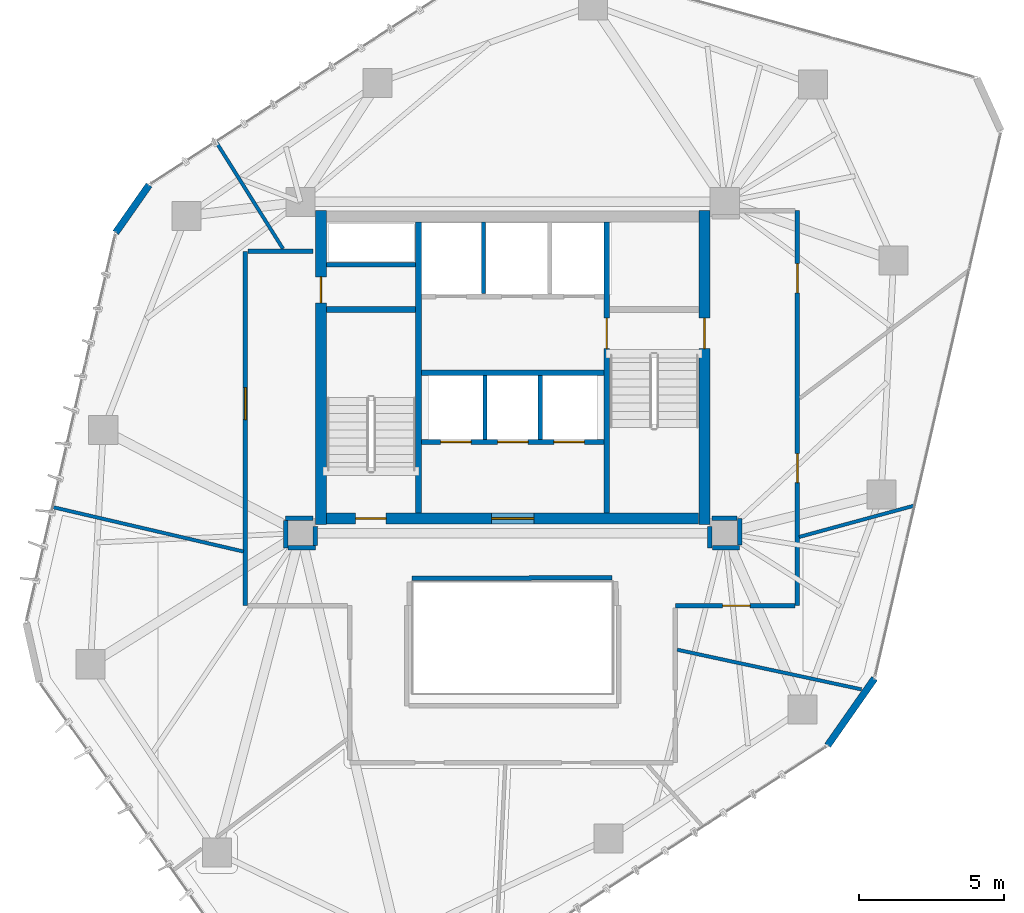
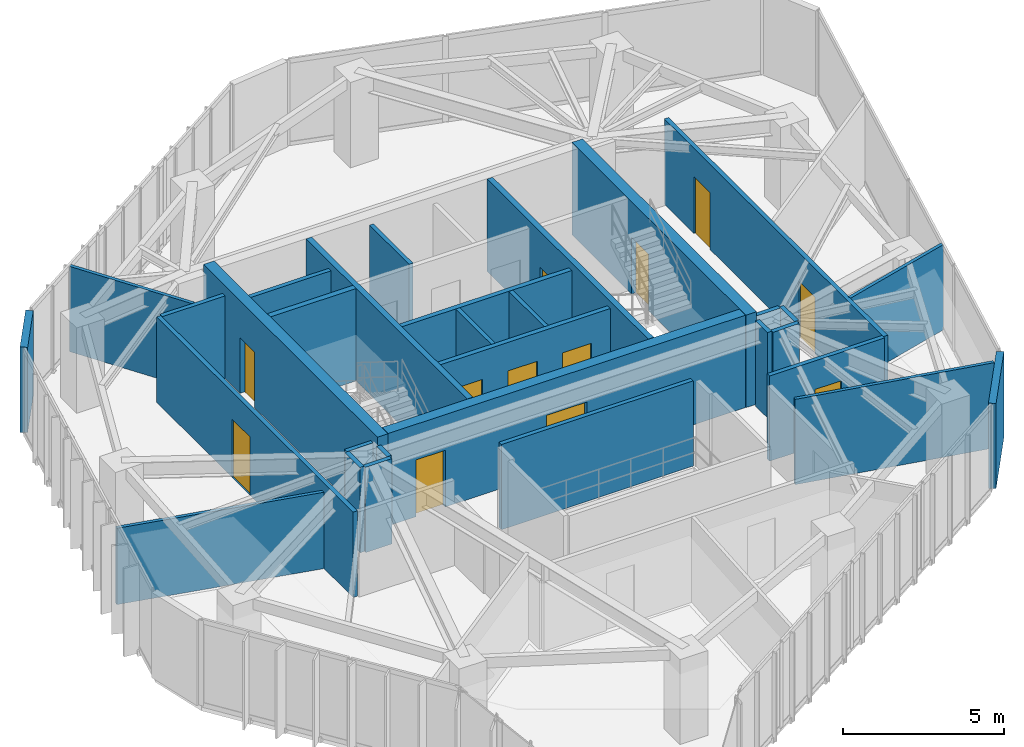
# One storey, part 15 of 18: 31 walls, 12 doors, 12 openings.
"""IFC4 building model written with IfcOpenShell, lengths in metres."""

from ifc_helpers import new_model, si_unit, direction, frame, frame_2d, origin, place, context, subcontext, project, spatial, rectangle, extrude, source, transform, mapped, material, layer, layer_set, type_object, type_shapes, element, fill, save


model = new_model("IFC4")

# Units and contexts
model_context = context("Model", 3, precision=1e-05, world=origin(), true_north=direction((0.0, 1.0)))
body_context = subcontext(model_context, "Body", "Model", "MODEL_VIEW")
ifc_project = project(units=[si_unit("LENGTHUNIT", "METRE"), si_unit("AREAUNIT", "SQUARE_METRE"), si_unit("VOLUMEUNIT", "CUBIC_METRE"), si_unit("PLANEANGLEUNIT", "RADIAN"), si_unit("MASSUNIT", "GRAM", prefix="KILO")], contexts=[model_context])

# Site, building, storey
site_placement = place(None, origin())
site = spatial("IfcSite", under=ifc_project, at=site_placement, CompositionType="ELEMENT")
building_placement = place(site_placement, origin())
building = spatial("IfcBuilding", under=site, at=building_placement, Name="Talar Marvaseh", CompositionType="ELEMENT")
storey_placement = place(building_placement, frame((0.0, 0.0, 188.0)))
storey = spatial("IfcBuildingStorey", under=building, at=storey_placement, Name="L49", CompositionType="ELEMENT", Elevation=188.0)

# Walls
ifc_material_1 = material(Name="Precast concrete C45/55", Category="concrete")
ifc_layer_1 = layer(ifc_material_1, 0.239990234375)
ifc_layer_set_1 = layer_set([ifc_layer_1], Name="Precast concrete C45/55")
wall_type_1 = type_object("IfcWallType", Name="Chamfered Hexagonal Corner Pier Wall Z3 240", PredefinedType="SOLIDWALL", material=ifc_layer_set_1)
wall_1_placement = place(storey_placement, frame((12.339599609375, 35.842529296875, 0.0), z_axis=(0.0, 0.0, 1.0), x_axis=(0.573568678046, 0.819157476658, 0.0)))
element("IfcWall", 1, at=wall_1_placement, inside=storey, type_object=wall_type_1, Name="L49 Chamfered Corner Limestone Pier 3", PredefinedType="SOLIDWALL", context=body_context, shape_type="SweptSolid", body=[
    extrude(rectangle(XDim=2.003173828125, YDim=0.239990234375, at=frame_2d((1.00146484375, 0.0))), origin(), (0.0, 0.0, 1.0), 3.22998046875),
])
wall_2_placement = place(storey_placement, frame((38.4560546875, 20.49658203125, 0.0), z_axis=(0.0, 0.0, 1.0), x_axis=(-0.573567102277, -0.819158579999, 0.0)))
element("IfcWall", 2, at=wall_2_placement, inside=storey, type_object=wall_type_1, Name="L49 Chamfered Corner Limestone Pier 6", PredefinedType="SOLIDWALL", context=body_context, shape_type="SweptSolid", body=[
    extrude(rectangle(XDim=2.815185546875, YDim=0.239990234375, at=frame_2d((1.40771484375, 0.0))), origin(), (0.0, 0.0, 1.0), 3.22998046875),
])
ifc_material_2 = material(Name="Gypsum Board Partition Assembly")
ifc_layer_2 = layer(ifc_material_2, 0.155029296875)
ifc_layer_set_2 = layer_set([ifc_layer_2], Name="Gypsum Board Partition Assembly")
wall_type_2 = type_object("IfcWallType", Name="Corridor Fire-Rated Acoustic Partition 155", PredefinedType="PARTITIONING", material=ifc_layer_set_2)
wall_3_placement = place(storey_placement, frame((19.60009765625, 34.72998046875, 0.0), z_axis=(0.0, 0.0, 1.0), x_axis=(1.0, 0.0, 0.0)))
element("IfcWall", 3, at=wall_3_placement, inside=storey, type_object=wall_type_2, Name="L49 Core BOH Partition", PredefinedType="PARTITIONING", context=body_context, shape_type="SweptSolid", body=[
    extrude(rectangle(XDim=3.059814453125, YDim=0.155029296875, at=frame_2d((1.52978515625, 0.0))), origin(), (0.0, 0.0, 1.0), 3.22998046875),
])

# Wall, opening, door
wall_4_placement = place(storey_placement, frame((16.800048828125, 23.0, 0.0), z_axis=(0.0, 0.0, 1.0), x_axis=(0.0, 1.0, 0.0)))
wall_4 = element("IfcWall", 4, at=wall_4_placement, inside=storey, type_object=wall_type_2, Name="L49 Interior Partition Wall", PredefinedType="PARTITIONING", context=body_context, shape_type="SweptSolid", body=[
    extrude(rectangle(XDim=12.199951171875, YDim=0.155029296875, at=frame_2d((6.10009765625, 0.0))), origin(), (0.0, 0.0, 1.0), 3.22998046875),
])
opening_1_placement = place(wall_4_placement, frame((6.404296875, 0.0, 0.0)))
opening_1 = element("IfcOpeningElement", 5, at=opening_1_placement, cuts=wall_4, Name="Opening DR-RM110", PredefinedType="OPENING", context=body_context, shape_type="SweptSolid", body=[
    extrude(rectangle(XDim=1.10009765625, YDim=2.199951171875, at=frame_2d((0.550048828125, 1.10009765625))), frame((0.0, 0.08740234375, 0.0), z_axis=(0.0, -1.0, 0.0), x_axis=(1.0, 0.0, 0.0)), (0.0, 0.0, 1.0), 0.175048828125),
])
ifc_material_3 = material(Name="Acoustic Engineered Oak Timber", Category="wood")
door_type_1 = type_object("IfcDoorType", Name="Assembly and Reading Hall Door 1100x2200", OperationType="NOTDEFINED", PredefinedType="DOOR", material=ifc_material_3)
shared_shape_1 = source(origin(), body_context, "Body", "SweptSolid", [
    extrude(rectangle(XDim=1.10009765625, YDim=2.199951171875, at=frame_2d((0.550048828125, 1.10009765625))), frame((0.0, 0.02490234375, 0.0), z_axis=(0.0, -1.0, 0.0), x_axis=(1.0, 0.0, 0.0)), (0.0, 0.0, 1.0), 0.050048828125),
])
type_shapes(door_type_1, [shared_shape_1])
door_1_placement = place(opening_1_placement, origin())
door_1 = element("IfcDoor", 6, at=door_1_placement, inside=storey, type_object=door_type_1, Name="L49 Gallery Security Control Room Door", OperationType="SINGLE_SWING_LEFT", OverallHeight=2.199951171875, OverallWidth=1.10009765625, PredefinedType="DOOR", context=body_context, shape_type="MappedRepresentation", body=[
    mapped(shared_shape_1, transform((0.0, 0.0, 0.0), x_axis=(1.0, 0.0, 0.0), y_axis=(0.0, 1.0, 0.0), z_axis=(0.0, 0.0, 1.0), scale=1.0)),
])
fill(opening_1, door_1)

# Wall, openings, doors
wall_5_placement = place(storey_placement, frame((35.800048828125, 36.60009765625, 0.0), z_axis=(0.0, 0.0, 1.0), x_axis=(0.0, -1.0, 0.0)))
wall_5 = element("IfcWall", 7, at=wall_5_placement, inside=storey, type_object=wall_type_2, Name="L49 Interior Partition Wall", PredefinedType="PARTITIONING", context=body_context, shape_type="SweptSolid", body=[
    extrude(rectangle(XDim=13.60009765625, YDim=0.155029296875, at=frame_2d((6.800048828125, 0.0))), origin(), (0.0, 0.0, 1.0), 3.22998046875),
])
opening_2_placement = place(wall_5_placement, frame((8.36376953125, 0.0, 0.0)))
opening_2 = element("IfcOpeningElement", 8, at=opening_2_placement, cuts=wall_5, Name="Opening DR-RM100", PredefinedType="OPENING", context=body_context, shape_type="SweptSolid", body=[
    extrude(rectangle(XDim=1.0, YDim=2.14990234375, at=frame_2d((0.5, 1.074951171875))), frame((0.0, 0.08740234375, 0.0), z_axis=(0.0, -1.0, 0.0), x_axis=(1.0, 0.0, 0.0)), (0.0, 0.0, 1.0), 0.175048828125),
])
opening_3_placement = place(wall_5_placement, frame((1.829345703125, 0.0, 0.0)))
opening_3 = element("IfcOpeningElement", 9, at=opening_3_placement, cuts=wall_5, Name="Opening DR-RM100", PredefinedType="OPENING", context=body_context, shape_type="SweptSolid", body=[
    extrude(rectangle(XDim=1.0, YDim=2.14990234375, at=frame_2d((0.5, 1.074951171875))), frame((0.0, 0.08740234375, 0.0), z_axis=(0.0, -1.0, 0.0), x_axis=(1.0, 0.0, 0.0)), (0.0, 0.0, 1.0), 0.175048828125),
])
door_type_2 = type_object("IfcDoorType", Name="Corridor Fire-Rated Gallery Door 1000x2150", OperationType="NOTDEFINED", PredefinedType="DOOR", material=ifc_material_3)
shared_shape_2 = source(origin(), body_context, "Body", "SweptSolid", [
    extrude(rectangle(XDim=1.0, YDim=2.14990234375, at=frame_2d((0.5, 1.074951171875))), frame((0.0, 0.02490234375, 0.0), z_axis=(0.0, -1.0, 0.0), x_axis=(1.0, 0.0, 0.0)), (0.0, 0.0, 1.0), 0.050048828125),
])
type_shapes(door_type_2, [shared_shape_2])
door_2_placement = place(opening_2_placement, origin())
door_2 = element("IfcDoor", 10, at=door_2_placement, inside=storey, type_object=door_type_2, Name="L49 Registrar Mail and Post Room Door", OperationType="SINGLE_SWING_LEFT", OverallHeight=2.14990234375, OverallWidth=1.0, PredefinedType="DOOR", context=body_context, shape_type="MappedRepresentation", body=[
    mapped(shared_shape_2, transform((0.0, 0.0, 0.0), x_axis=(1.0, 0.0, 0.0), y_axis=(0.0, 1.0, 0.0), z_axis=(0.0, 0.0, 1.0), scale=1.0)),
])
fill(opening_2, door_2)
door_3_placement = place(opening_3_placement, origin())
door_3 = element("IfcDoor", 11, at=door_3_placement, inside=storey, type_object=door_type_2, Name="L49 Conservation Briefing Room Door", OperationType="SINGLE_SWING_RIGHT", OverallHeight=2.14990234375, OverallWidth=1.0, PredefinedType="DOOR", context=body_context, shape_type="MappedRepresentation", body=[
    mapped(shared_shape_2, transform((0.0, 0.0, 0.0), x_axis=(1.0, 0.0, 0.0), y_axis=(0.0, 1.0, 0.0), z_axis=(0.0, 0.0, 1.0), scale=1.0)),
])
fill(opening_3, door_3)

# Wall, opening, door
wall_6_placement = place(storey_placement, frame((35.716552734375, 23.0, 0.0), z_axis=(0.0, 0.0, 1.0), x_axis=(-1.0, 0.0, 0.0)))
wall_6 = element("IfcWall", 12, at=wall_6_placement, inside=storey, type_object=wall_type_2, Name="L49 Interior Partition Wall", PredefinedType="PARTITIONING", context=body_context, shape_type="SweptSolid", body=[
    extrude(rectangle(XDim=4.116455078125, YDim=0.155029296875, at=frame_2d((2.05810546875, 0.0))), origin(), (0.0, 0.0, 1.0), 3.22998046875),
])
opening_4_placement = place(wall_6_placement, frame((1.54150390625, 0.0, 0.0)))
opening_4 = element("IfcOpeningElement", 13, at=opening_4_placement, cuts=wall_6, Name="Opening DR-WC095", PredefinedType="OPENING", context=body_context, shape_type="SweptSolid", body=[
    extrude(rectangle(XDim=0.949951171875, YDim=2.14990234375, at=frame_2d((0.47509765625, 1.074951171875))), frame((0.0, 0.08740234375, 0.0), z_axis=(0.0, -1.0, 0.0), x_axis=(1.0, 0.0, 0.0)), (0.0, 0.0, 1.0), 0.175048828125),
])
door_type_3 = type_object("IfcDoorType", Name="Washroom and Service Room Door 950x2150", OperationType="NOTDEFINED", PredefinedType="DOOR", material=ifc_material_3)
shared_shape_3 = source(origin(), body_context, "Body", "SweptSolid", [
    extrude(rectangle(XDim=0.949951171875, YDim=2.14990234375, at=frame_2d((0.47509765625, 1.074951171875))), frame((0.0, 0.02490234375, 0.0), z_axis=(0.0, -1.0, 0.0), x_axis=(1.0, 0.0, 0.0)), (0.0, 0.0, 1.0), 0.050048828125),
])
type_shapes(door_type_3, [shared_shape_3])
door_4_placement = place(opening_4_placement, origin())
door_4 = element("IfcDoor", 14, at=door_4_placement, inside=storey, type_object=door_type_3, Name="L49 Accessible WC Door", OperationType="SINGLE_SWING_RIGHT", OverallHeight=2.14990234375, OverallWidth=0.949951171875, PredefinedType="DOOR", context=body_context, shape_type="MappedRepresentation", body=[
    mapped(shared_shape_3, transform((0.0, 0.0, 0.0), x_axis=(1.0, 0.0, 0.0), y_axis=(0.0, 1.0, 0.0), z_axis=(0.0, 0.0, 1.0), scale=1.0)),
])
fill(opening_4, door_4)

# Walls
wall_7_placement = place(storey_placement, frame((16.883544921875, 35.199951171875, 0.0), z_axis=(0.0, 0.0, 1.0), x_axis=(1.0, 0.0, 0.0)))
element("IfcWall", 15, at=wall_7_placement, inside=storey, type_object=wall_type_2, Name="L49 Interior Partition Wall", PredefinedType="PARTITIONING", context=body_context, shape_type="SweptSolid", body=[
    extrude(rectangle(XDim=2.246337890625, YDim=0.155029296875, at=frame_2d((1.123046875, 0.0))), origin(), (0.0, 0.0, 1.0), 3.22998046875),
])
wall_8_placement = place(storey_placement, frame((19.1298828125, 26.0146484375, 0.0), z_axis=(0.0, 0.0, 1.0), x_axis=(-0.99999026157, -0.004413248818, 0.0)))
element("IfcWall", 16, at=wall_8_placement, inside=storey, type_object=wall_type_2, Name="L49 Interior Partition Wall", PredefinedType="PARTITIONING", context=body_context, shape_type="SweptSolid", body=[
    extrude(rectangle(XDim=0.9404296875, YDim=0.155029296875, at=frame_2d((0.47021484375, 0.0))), origin(), (0.0, 0.0, 1.0), 3.22998046875),
])
wall_9_placement = place(storey_placement, frame((18.189697265625, 25.927001953125, 0.0), z_axis=(0.0, 0.0, 1.0), x_axis=(0.002078997586, -0.999997838882, 0.0)))
element("IfcWall", 17, at=wall_9_placement, inside=storey, type_object=wall_type_2, Name="L49 Interior Partition Wall", PredefinedType="PARTITIONING", context=body_context, shape_type="SweptSolid", body=[
    extrude(rectangle(XDim=0.939453125, YDim=0.155029296875, at=frame_2d((0.4697265625, 0.0))), origin(), (0.0, 0.0, 1.0), 3.22998046875),
])
wall_10_placement = place(storey_placement, frame((18.275146484375, 24.987548828125, 0.0), z_axis=(0.0, 0.0, 1.0), x_axis=(0.999999692748, 0.0007839036, 0.0)))
element("IfcWall", 18, at=wall_10_placement, inside=storey, type_object=wall_type_2, Name="L49 Interior Partition Wall", PredefinedType="PARTITIONING", context=body_context, shape_type="SweptSolid", body=[
    extrude(rectangle(XDim=0.934326171875, YDim=0.155029296875, at=frame_2d((0.46728515625, 0.0))), origin(), (0.0, 0.0, 1.0), 3.22998046875),
])
wall_11_placement = place(storey_placement, frame((19.210205078125, 25.072021484375, 0.0), z_axis=(0.0, 0.0, 1.0), x_axis=(0.007420945932, 0.999972464402, 0.0)))
element("IfcWall", 19, at=wall_11_placement, inside=storey, type_object=wall_type_2, Name="L49 Interior Partition Wall", PredefinedType="PARTITIONING", context=body_context, shape_type="SweptSolid", body=[
    extrude(rectangle(XDim=0.657958984375, YDim=0.155029296875, at=frame_2d((0.3291015625, 0.0))), origin(), (0.0, 0.0, 1.0), 3.22998046875),
])
wall_12_placement = place(storey_placement, frame((32.784912109375, 25.72998046875, 0.0), z_axis=(0.0, 0.0, 1.0), x_axis=(0.007570553288, -0.999971342951, 0.0)))
element("IfcWall", 20, at=wall_12_placement, inside=storey, type_object=wall_type_2, Name="L49 Interior Partition Wall", PredefinedType="PARTITIONING", context=body_context, shape_type="SweptSolid", body=[
    extrude(rectangle(XDim=0.74169921875, YDim=0.155029296875, at=frame_2d((0.370849609375, 0.0))), origin(), (0.0, 0.0, 1.0), 3.22998046875),
])
wall_13_placement = place(storey_placement, frame((32.8740234375, 24.9892578125, 0.0), z_axis=(0.0, 0.0, 1.0), x_axis=(0.999934835738, 0.01141596595, 0.0)))
element("IfcWall", 21, at=wall_13_placement, inside=storey, type_object=wall_type_2, Name="L49 Interior Partition Wall", PredefinedType="PARTITIONING", context=body_context, shape_type="SweptSolid", body=[
    extrude(rectangle(XDim=0.94091796875, YDim=0.155029296875, at=frame_2d((0.470458984375, 0.0))), origin(), (0.0, 0.0, 1.0), 3.22998046875),
])
wall_14_placement = place(storey_placement, frame((33.814697265625, 25.08349609375, 0.0), z_axis=(0.0, 0.0, 1.0), x_axis=(-0.004477173984, 0.999989977406, 0.0)))
element("IfcWall", 22, at=wall_14_placement, inside=storey, type_object=wall_type_2, Name="L49 Interior Partition Wall", PredefinedType="PARTITIONING", context=body_context, shape_type="SweptSolid", body=[
    extrude(rectangle(XDim=0.927001953125, YDim=0.155029296875, at=frame_2d((0.46337890625, 0.0))), origin(), (0.0, 0.0, 1.0), 3.22998046875),
])
wall_15_placement = place(storey_placement, frame((33.72705078125, 26.010986328125, 0.0), z_axis=(0.0, 0.0, 1.0), x_axis=(-0.999990868706, 0.004273465251, 0.0)))
element("IfcWall", 23, at=wall_15_placement, inside=storey, type_object=wall_type_2, Name="L49 Interior Partition Wall", PredefinedType="PARTITIONING", context=body_context, shape_type="SweptSolid", body=[
    extrude(rectangle(XDim=0.85693359375, YDim=0.155029296875, at=frame_2d((0.428466796875, 0.0))), origin(), (0.0, 0.0, 1.0), 3.22998046875),
])
wall_16_placement = place(storey_placement, frame((29.415771484375, 23.959228515625, 0.0), z_axis=(0.0, 0.0, 1.0), x_axis=(-0.999998607957, -0.001668557745, 0.0)))
element("IfcWall", 24, at=wall_16_placement, inside=storey, type_object=wall_type_2, Name="L49 Interior Partition Wall", PredefinedType="PARTITIONING", context=body_context, shape_type="SweptSolid", body=[
    extrude(rectangle(XDim=6.876953125, YDim=0.155029296875, at=frame_2d((3.4384765625, 0.0))), origin(), (0.0, 0.0, 1.0), 3.22998046875),
])
ifc_layer_3 = layer(ifc_material_2, 0.1201171875)
ifc_layer_set_3 = layer_set([ifc_layer_3], Name="Gypsum Board Partition Assembly")
wall_type_3 = type_object("IfcWallType", Name="Demountable Studio Room Partition 120", PredefinedType="PARTITIONING", material=ifc_layer_set_3)
wall_17_placement = place(storey_placement, frame((10.18994140625, 26.3896484375, 0.0), z_axis=(0.0, 0.0, 1.0), x_axis=(0.973930076487, -0.226848421008, 0.0)))
element("IfcWall", 25, at=wall_17_placement, inside=storey, type_object=wall_type_3, Name="L49 Interior Partition Wall", PredefinedType="PARTITIONING", context=body_context, shape_type="SweptSolid", body=[
    extrude(rectangle(XDim=6.72216796875, YDim=0.1201171875, at=frame_2d((3.361083984375, 0.0))), origin(), (0.0, 0.0, 1.0), 2.89208984375),
])
wall_18_placement = place(storey_placement, frame((31.66357421875, 21.486328125, 0.0), z_axis=(0.0, 0.0, 1.0), x_axis=(0.977579397966, -0.210567140532, 0.0)))
element("IfcWall", 26, at=wall_18_placement, inside=storey, type_object=wall_type_3, Name="L49 Interior Partition Wall", PredefinedType="PARTITIONING", context=body_context, shape_type="SweptSolid", body=[
    extrude(rectangle(XDim=6.48828125, YDim=0.1201171875, at=frame_2d((3.244140625, 0.0))), origin(), (0.0, 0.0, 1.0), 3.22998046875),
])
wall_19_placement = place(storey_placement, frame((35.86279296875, 25.3671875, 0.0), z_axis=(0.0, 0.0, 1.0), x_axis=(0.964886242163, 0.262668116993, 0.0)))
element("IfcWall", 27, at=wall_19_placement, inside=storey, type_object=wall_type_3, Name="L49 Interior Partition Wall", PredefinedType="PARTITIONING", context=body_context, shape_type="SweptSolid", body=[
    extrude(rectangle(XDim=4.092529296875, YDim=0.1201171875, at=frame_2d((2.04638671875, 0.0))), origin(), (0.0, 0.0, 1.0), 3.22998046875),
])
wall_20_placement = place(storey_placement, frame((18.09765625, 35.283447265625, 0.0), z_axis=(0.0, 0.0, 1.0), x_axis=(-0.530647194572, 0.847592800166, 0.0)))
element("IfcWall", 28, at=wall_20_placement, inside=storey, type_object=wall_type_3, Name="L49 Interior Partition Wall", PredefinedType="PARTITIONING", context=body_context, shape_type="SweptSolid", body=[
    extrude(rectangle(XDim=4.33203125, YDim=0.1201171875, at=frame_2d((2.166015625, 0.0))), origin(), (0.0, 0.0, 1.0), 3.22998046875),
])
ifc_layer_4 = layer(ifc_material_1, 0.14501953125)
ifc_layer_set_4 = layer_set([ifc_layer_4], Name="Precast concrete C45/55")
wall_type_4 = type_object("IfcWallType", Name="Fire-Rated Lift Divider Wall 145", PredefinedType="SOLIDWALL", material=ifc_layer_set_4)
wall_21_placement = place(storey_placement, frame((25.0, 33.743408203125, 0.0), z_axis=(0.0, 0.0, 1.0), x_axis=(0.0, 1.0, 0.0)))
element("IfcWall", 29, at=wall_21_placement, inside=storey, type_object=wall_type_4, Name="L49 FFL-1/FFL-2 Divider", PredefinedType="SOLIDWALL", context=body_context, shape_type="SweptSolid", body=[
    extrude(rectangle(XDim=2.45654296875, YDim=0.14501953125, at=frame_2d((1.228271484375, 0.0))), origin(), (0.0, 0.0, 1.0), 3.22998046875),
])
for number, where, z_axis, x_axis, name in (
    (30, (25.050048828125, 28.719970703125, 0.0), (0.0, 0.0, 1.0), (0.0, 1.0, 0.0), "L49 PL-H1/PL-H2 Divider"),
    (31, (26.949951171875, 28.719970703125, 0.0), (0.0, 0.0, 1.0), (0.0, 1.0, 0.0), "L49 PL-H2/PL-H3 Divider"),
):
    element("IfcWall", number, at=place(storey_placement, frame(where, z_axis=z_axis, x_axis=x_axis)), inside=storey, type_object=wall_type_4, Name=name, PredefinedType="SOLIDWALL", context=body_context, shape_type="SweptSolid", body=[
        extrude(rectangle(XDim=2.20654296875, YDim=0.14501953125, at=frame_2d((1.103271484375, 0.0))), origin(), (0.0, 0.0, 1.0), 3.22998046875),
    ])
ifc_layer_5 = layer(ifc_material_1, 0.175048828125)
ifc_layer_set_5 = layer_set([ifc_layer_5], Name="Precast concrete C45/55")
wall_type_5 = type_object("IfcWallType", Name="Fire-Rated Lift Hoistway Enclosure Wall 175", PredefinedType="SOLIDWALL", material=ifc_layer_set_5)
wall_22_placement = place(storey_placement, frame((22.860107421875, 31.02001953125, 0.0), z_axis=(0.0, 0.0, 1.0), x_axis=(1.0, 0.0, 0.0)))
element("IfcWall", 32, at=wall_22_placement, inside=storey, type_object=wall_type_5, Name="L49 Firefighting Lobby South Smoke Wall", PredefinedType="SOLIDWALL", context=body_context, shape_type="SweptSolid", body=[
    extrude(rectangle(XDim=6.27978515625, YDim=0.175048828125, at=frame_2d((3.139892578125, 0.0))), origin(), (0.0, 0.0, 1.0), 3.22998046875),
])

# Wall, openings, doors
wall_23_placement = place(storey_placement, frame((22.860107421875, 28.639892578125, 0.0), z_axis=(0.0, 0.0, 1.0), x_axis=(1.0, 0.0, 0.0)))
wall_23 = element("IfcWall", 33, at=wall_23_placement, inside=storey, type_object=wall_type_5, Name="L49 High-Rise Lift Bank Front Wall", PredefinedType="SOLIDWALL", context=body_context, shape_type="SweptSolid", body=[
    extrude(rectangle(XDim=6.27978515625, YDim=0.175048828125, at=frame_2d((3.139892578125, 0.0))), origin(), (0.0, 0.0, 1.0), 3.22998046875),
])
opening_5_placement = place(wall_23_placement, frame((0.659912109375, 0.0, 0.0)))
opening_5 = element("IfcOpeningElement", 34, at=opening_5_placement, cuts=wall_23, Name="Opening LD-PLH1", PredefinedType="OPENING", context=body_context, shape_type="SweptSolid", body=[
    extrude(rectangle(XDim=1.050048828125, YDim=2.14990234375, at=frame_2d((0.52490234375, 1.074951171875))), frame((0.0, 0.09765625, 0.0), z_axis=(0.0, -1.0, 0.0), x_axis=(1.0, 0.0, 0.0)), (0.0, 0.0, 1.0), 0.195068359375),
])
opening_6_placement = place(wall_23_placement, frame((2.6201171875, 0.0, 0.0)))
opening_6 = element("IfcOpeningElement", 35, at=opening_6_placement, cuts=wall_23, Name="Opening LD-PLH2", PredefinedType="OPENING", context=body_context, shape_type="SweptSolid", body=[
    extrude(rectangle(XDim=1.050048828125, YDim=2.14990234375, at=frame_2d((0.52490234375, 1.074951171875))), frame((0.0, 0.09765625, 0.0), z_axis=(0.0, -1.0, 0.0), x_axis=(1.0, 0.0, 0.0)), (0.0, 0.0, 1.0), 0.195068359375),
])
opening_7_placement = place(wall_23_placement, frame((4.56005859375, 0.0, 0.0)))
opening_7 = element("IfcOpeningElement", 36, at=opening_7_placement, cuts=wall_23, Name="Opening LD-PLH3", PredefinedType="OPENING", context=body_context, shape_type="SweptSolid", body=[
    extrude(rectangle(XDim=1.050048828125, YDim=2.14990234375, at=frame_2d((0.52490234375, 1.074951171875))), frame((0.0, 0.09765625, 0.0), z_axis=(0.0, -1.0, 0.0), x_axis=(1.0, 0.0, 0.0)), (0.0, 0.0, 1.0), 0.195068359375),
])
ifc_material_4 = material(Name="Stainless Steel Grade 316", Category="steel")
door_type_4 = type_object("IfcDoorType", Name="Automatic Sliding Lift Landing Door 1050x2150", OperationType="NOTDEFINED", PredefinedType="DOOR", material=ifc_material_4)
shared_shape_4 = source(origin(), body_context, "Body", "SweptSolid", [
    extrude(rectangle(XDim=1.050048828125, YDim=2.14990234375, at=frame_2d((0.52490234375, 1.074951171875))), frame((0.0, 0.02490234375, 0.0), z_axis=(0.0, -1.0, 0.0), x_axis=(1.0, 0.0, 0.0)), (0.0, 0.0, 1.0), 0.050048828125),
])
type_shapes(door_type_4, [shared_shape_4])
door_5_placement = place(opening_5_placement, origin())
door_5 = element("IfcDoor", 37, at=door_5_placement, inside=storey, type_object=door_type_4, Name="L49 Lift PL-H1 Sliding Landing Door", OperationType="SLIDING_TO_LEFT", OverallHeight=2.14990234375, OverallWidth=1.050048828125, PredefinedType="DOOR", context=body_context, shape_type="MappedRepresentation", body=[
    mapped(shared_shape_4, transform((0.0, 0.0, 0.0), x_axis=(1.0, 0.0, 0.0), y_axis=(0.0, 1.0, 0.0), z_axis=(0.0, 0.0, 1.0), scale=1.0)),
])
fill(opening_5, door_5)
door_6_placement = place(opening_6_placement, origin())
door_6 = element("IfcDoor", 38, at=door_6_placement, inside=storey, type_object=door_type_4, Name="L49 Lift PL-H2 Sliding Landing Door", OperationType="SLIDING_TO_LEFT", OverallHeight=2.14990234375, OverallWidth=1.050048828125, PredefinedType="DOOR", context=body_context, shape_type="MappedRepresentation", body=[
    mapped(shared_shape_4, transform((0.0, 0.0, 0.0), x_axis=(1.0, 0.0, 0.0), y_axis=(0.0, 1.0, 0.0), z_axis=(0.0, 0.0, 1.0), scale=1.0)),
])
fill(opening_6, door_6)
door_7_placement = place(opening_7_placement, origin())
door_7 = element("IfcDoor", 39, at=door_7_placement, inside=storey, type_object=door_type_4, Name="L49 Lift PL-H3 Sliding Landing Door", OperationType="SLIDING_TO_LEFT", OverallHeight=2.14990234375, OverallWidth=1.050048828125, PredefinedType="DOOR", context=body_context, shape_type="MappedRepresentation", body=[
    mapped(shared_shape_4, transform((0.0, 0.0, 0.0), x_axis=(1.0, 0.0, 0.0), y_axis=(0.0, 1.0, 0.0), z_axis=(0.0, 0.0, 1.0), scale=1.0)),
])
fill(opening_7, door_7)

# Wall, opening, door
ifc_material_5 = material(Name="Concrete C60/75", Category="concrete")
ifc_layer_6 = layer(ifc_material_5, 0.3798828125)
ifc_layer_set_6 = layer_set([ifc_layer_6], Name="Concrete C60/75")
wall_type_6 = type_object("IfcWallType", Name="Mid Core Reinforced Concrete Shear Wall 380", PredefinedType="SHEAR", material=ifc_layer_set_6)
wall_24_placement = place(storey_placement, frame((19.39990234375, 25.800048828125, 0.0), z_axis=(0.0, 0.0, 1.0), x_axis=(0.0, 1.0, 0.0)))
wall_24 = element("IfcWall", 40, at=wall_24_placement, inside=storey, type_object=wall_type_6, Name="L49 West Core Shear Wall", PredefinedType="SHEAR", context=body_context, shape_type="SweptSolid", body=[
    extrude(rectangle(XDim=10.800048828125, YDim=0.3798828125, at=frame_2d((5.39990234375, 0.0))), origin(), (0.0, 0.0, 1.0), 3.5),
])
opening_8_placement = place(wall_24_placement, frame((7.6201171875, 0.0, 0.0)))
opening_8 = element("IfcOpeningElement", 41, at=opening_8_placement, cuts=wall_24, Name="Opening DR-BOH090", PredefinedType="OPENING", context=body_context, shape_type="SweptSolid", body=[
    extrude(rectangle(XDim=0.89990234375, YDim=2.10009765625, at=frame_2d((0.449951171875, 1.050048828125))), frame((0.0, 0.199951171875, 0.0), z_axis=(0.0, -1.0, 0.0), x_axis=(1.0, 0.0, 0.0)), (0.0, 0.0, 1.0), 0.39990234375),
])
ifc_material_6 = material(Name="Fire-Rated Steel Door Leaf", Category="steel")
door_type_5 = type_object("IfcDoorType", Name="Core Back-of-House Service Door 900x2100", OperationType="NOTDEFINED", PredefinedType="DOOR", material=ifc_material_6)
shared_shape_5 = source(origin(), body_context, "Body", "SweptSolid", [
    extrude(rectangle(XDim=0.89990234375, YDim=2.10009765625, at=frame_2d((0.449951171875, 1.050048828125))), frame((0.0, 0.02490234375, 0.0), z_axis=(0.0, -1.0, 0.0), x_axis=(1.0, 0.0, 0.0)), (0.0, 0.0, 1.0), 0.050048828125),
])
type_shapes(door_type_5, [shared_shape_5])
door_8_placement = place(opening_8_placement, origin())
door_8 = element("IfcDoor", 42, at=door_8_placement, inside=storey, type_object=door_type_5, Name="L49 Cleaner Core West Closet Door", OperationType="SINGLE_SWING_LEFT", OverallHeight=2.10009765625, OverallWidth=0.89990234375, PredefinedType="DOOR", context=body_context, shape_type="MappedRepresentation", body=[
    mapped(shared_shape_5, transform((0.0, 0.0, 0.0), x_axis=(1.0, 0.0, 0.0), y_axis=(0.0, 1.0, 0.0), z_axis=(0.0, 0.0, 1.0), scale=1.0)),
])
fill(opening_8, door_8)

wall_25_placement = place(storey_placement, frame((32.60009765625, 36.60009765625, 0.0), z_axis=(0.0, 0.0, 1.0), x_axis=(0.0, -1.0, 0.0)))
wall_25 = element("IfcWall", 43, at=wall_25_placement, inside=storey, type_object=wall_type_6, Name="L49 East Core Shear Wall", PredefinedType="SHEAR", context=body_context, shape_type="SweptSolid", body=[
    extrude(rectangle(XDim=10.800048828125, YDim=0.3798828125, at=frame_2d((5.39990234375, 0.0))), origin(), (0.0, 0.0, 1.0), 3.5),
])
opening_9_placement = place(wall_25_placement, frame((3.699951171875, 0.0, 0.0)))
opening_9 = element("IfcOpeningElement", 44, at=opening_9_placement, cuts=wall_25, Name="Opening DR-ST105", PredefinedType="OPENING", context=body_context, shape_type="SweptSolid", body=[
    extrude(rectangle(XDim=1.050048828125, YDim=2.14990234375, at=frame_2d((0.52490234375, 1.074951171875))), frame((0.0, 0.199951171875, 0.0), z_axis=(0.0, -1.0, 0.0), x_axis=(1.0, 0.0, 0.0)), (0.0, 0.0, 1.0), 0.39990234375),
])
door_type_6 = type_object("IfcDoorType", Name="Protected Exit Stair Fire Door 1050x2150", OperationType="NOTDEFINED", PredefinedType="DOOR", material=ifc_material_6)
shared_shape_6 = source(origin(), body_context, "Body", "SweptSolid", [
    extrude(rectangle(XDim=1.050048828125, YDim=2.14990234375, at=frame_2d((0.52490234375, 1.074951171875))), frame((0.0, 0.02490234375, 0.0), z_axis=(0.0, -1.0, 0.0), x_axis=(1.0, 0.0, 0.0)), (0.0, 0.0, 1.0), 0.050048828125),
])
type_shapes(door_type_6, [shared_shape_6])
door_9_placement = place(opening_9_placement, origin())
door_9 = element("IfcDoor", 45, at=door_9_placement, inside=storey, type_object=door_type_6, Name="L49 Stair ST-2 Corridor Exit Door", OperationType="SINGLE_SWING_LEFT", OverallHeight=2.14990234375, OverallWidth=1.050048828125, PredefinedType="DOOR", context=body_context, shape_type="MappedRepresentation", body=[
    mapped(shared_shape_6, transform((0.0, 0.0, 0.0), x_axis=(1.0, 0.0, 0.0), y_axis=(0.0, 1.0, 0.0), z_axis=(0.0, 0.0, 1.0), scale=1.0)),
])
fill(opening_9, door_9)

# Wall, openings, doors
wall_26_placement = place(storey_placement, frame((32.39990234375, 26.0, 0.0), z_axis=(0.0, 0.0, 1.0), x_axis=(-1.0, 0.0, 0.0)))
wall_26 = element("IfcWall", 46, at=wall_26_placement, inside=storey, type_object=wall_type_6, Name="L49 South Core Shear Wall", PredefinedType="SHEAR", context=body_context, shape_type="SweptSolid", body=[
    extrude(rectangle(XDim=12.7998046875, YDim=0.3798828125, at=frame_2d((6.39990234375, 0.0))), origin(), (0.0, 0.0, 1.0), 3.5),
])
opening_10_placement = place(wall_26_placement, frame((10.75, 0.0, 0.0)))
opening_10 = element("IfcOpeningElement", 47, at=opening_10_placement, cuts=wall_26, Name="Opening DR-ST105", PredefinedType="OPENING", context=body_context, shape_type="SweptSolid", body=[
    extrude(rectangle(XDim=1.050048828125, YDim=2.14990234375, at=frame_2d((0.52490234375, 1.074951171875))), frame((0.0, 0.199951171875, 0.0), z_axis=(0.0, -1.0, 0.0), x_axis=(1.0, 0.0, 0.0)), (0.0, 0.0, 1.0), 0.39990234375),
])
opening_11_placement = place(wall_26_placement, frame((5.669921875, 0.0, 0.0)))
opening_11 = element("IfcOpeningElement", 48, at=opening_11_placement, cuts=wall_26, Name="Opening DR-LBY145", PredefinedType="OPENING", context=body_context, shape_type="SweptSolid", body=[
    extrude(rectangle(XDim=1.449951171875, YDim=2.199951171875, at=frame_2d((0.72509765625, 1.10009765625))), frame((0.0, 0.199951171875, 0.0), z_axis=(0.0, -1.0, 0.0), x_axis=(1.0, 0.0, 0.0)), (0.0, 0.0, 1.0), 0.39990234375),
])
door_10_placement = place(opening_10_placement, origin())
door_10 = element("IfcDoor", 49, at=door_10_placement, inside=storey, type_object=door_type_6, Name="L49 Stair ST-1 Exit Door", OperationType="SINGLE_SWING_RIGHT", OverallHeight=2.14990234375, OverallWidth=1.050048828125, PredefinedType="DOOR", context=body_context, shape_type="MappedRepresentation", body=[
    mapped(shared_shape_6, transform((0.0, 0.0, 0.0), x_axis=(1.0, 0.0, 0.0), y_axis=(0.0, 1.0, 0.0), z_axis=(0.0, 0.0, 1.0), scale=1.0)),
])
fill(opening_10, door_10)
door_type_7 = type_object("IfcDoorType", Name="Core Lift Lobby Double Smoke Door 1450x2200", OperationType="NOTDEFINED", PredefinedType="DOOR", material=ifc_material_6)
shared_shape_7 = source(origin(), body_context, "Body", "SweptSolid", [
    extrude(rectangle(XDim=1.449951171875, YDim=2.199951171875, at=frame_2d((0.72509765625, 1.10009765625))), frame((0.0, 0.02490234375, 0.0), z_axis=(0.0, -1.0, 0.0), x_axis=(1.0, 0.0, 0.0)), (0.0, 0.0, 1.0), 0.050048828125),
])
type_shapes(door_type_7, [shared_shape_7])
door_11_placement = place(opening_11_placement, origin())
door_11 = element("IfcDoor", 50, at=door_11_placement, inside=storey, type_object=door_type_7, Name="L49 Passenger Lift Lobby Entrance Door", OperationType="DOUBLE_DOOR_SINGLE_SWING", OverallHeight=2.199951171875, OverallWidth=1.449951171875, PredefinedType="DOOR", context=body_context, shape_type="MappedRepresentation", body=[
    mapped(shared_shape_7, transform((0.0, 0.0, 0.0), x_axis=(1.0, 0.0, 0.0), y_axis=(0.0, 1.0, 0.0), z_axis=(0.0, 0.0, 1.0), scale=1.0)),
])
fill(opening_11, door_11)

# Wall
ifc_material_7 = material(Name="Concrete C50/60", Category="concrete")
ifc_layer_7 = layer(ifc_material_7, 0.199951171875)
ifc_layer_set_7 = layer_set([ifc_layer_7], Name="Concrete C50/60")
wall_type_7 = type_object("IfcWallType", Name="Stair Shaft Structural Concrete Shear Wall 200", PredefinedType="SHEAR", material=ifc_layer_set_7)
wall_27_placement = place(storey_placement, frame((22.760009765625, 26.199951171875, 0.0), z_axis=(0.0, 0.0, 1.0), x_axis=(0.0, 1.0, 0.0)))
element("IfcWall", 51, at=wall_27_placement, inside=storey, type_object=wall_type_7, Name="L49 Core West Stair Shear Wall", PredefinedType="SHEAR", context=body_context, shape_type="SweptSolid", body=[
    extrude(rectangle(XDim=10.0, YDim=0.199951171875, at=frame_2d((5.0, 0.0))), origin(), (0.0, 0.0, 1.0), 3.5),
])

# Wall, opening, door
wall_28_placement = place(storey_placement, frame((29.239990234375, 26.199951171875, 0.0), z_axis=(0.0, 0.0, 1.0), x_axis=(0.0, 1.0, 0.0)))
wall_28 = element("IfcWall", 52, at=wall_28_placement, inside=storey, type_object=wall_type_7, Name="L49 Core East Stair Shear Wall", PredefinedType="SHEAR", context=body_context, shape_type="SweptSolid", body=[
    extrude(rectangle(XDim=10.0, YDim=0.199951171875, at=frame_2d((5.0, 0.0))), origin(), (0.0, 0.0, 1.0), 3.5),
])
opening_12_placement = place(wall_28_placement, frame((5.64990234375, 0.0, 0.0)))
opening_12 = element("IfcOpeningElement", 53, at=opening_12_placement, cuts=wall_28, Name="Opening DR-ST105", PredefinedType="OPENING", context=body_context, shape_type="SweptSolid", body=[
    extrude(rectangle(XDim=1.050048828125, YDim=2.14990234375, at=frame_2d((0.52490234375, 1.074951171875))), frame((0.0, 0.10986328125, 0.0), z_axis=(0.0, -1.0, 0.0), x_axis=(1.0, 0.0, 0.0)), (0.0, 0.0, 1.0), 0.219970703125),
])
door_12_placement = place(opening_12_placement, origin())
door_12 = element("IfcDoor", 54, at=door_12_placement, inside=storey, type_object=door_type_6, Name="L49 Firefighting Lobby to Stair ST-2 Door", OperationType="SINGLE_SWING_LEFT", OverallHeight=2.14990234375, OverallWidth=1.050048828125, PredefinedType="DOOR", context=body_context, shape_type="MappedRepresentation", body=[
    mapped(shared_shape_6, transform((0.0, 0.0, 0.0), x_axis=(1.0, 0.0, 0.0), y_axis=(0.0, 1.0, 0.0), z_axis=(0.0, 0.0, 1.0), scale=1.0)),
])
fill(opening_12, door_12)

# Wall
wall_29_placement = place(storey_placement, frame((19.60009765625, 33.199951171875, 0.0), z_axis=(0.0, 0.0, 1.0), x_axis=(1.0, 0.0, 0.0)))
element("IfcWall", 55, at=wall_29_placement, inside=storey, type_object=wall_type_7, Name="L49 Stair ST-1 North Shear Wall", PredefinedType="SHEAR", context=body_context, shape_type="SweptSolid", body=[
    extrude(rectangle(XDim=3.059814453125, YDim=0.199951171875, at=frame_2d((1.52978515625, 0.0))), origin(), (0.0, 0.0, 1.0), 3.5),
])

save(model, "model.ifc")
